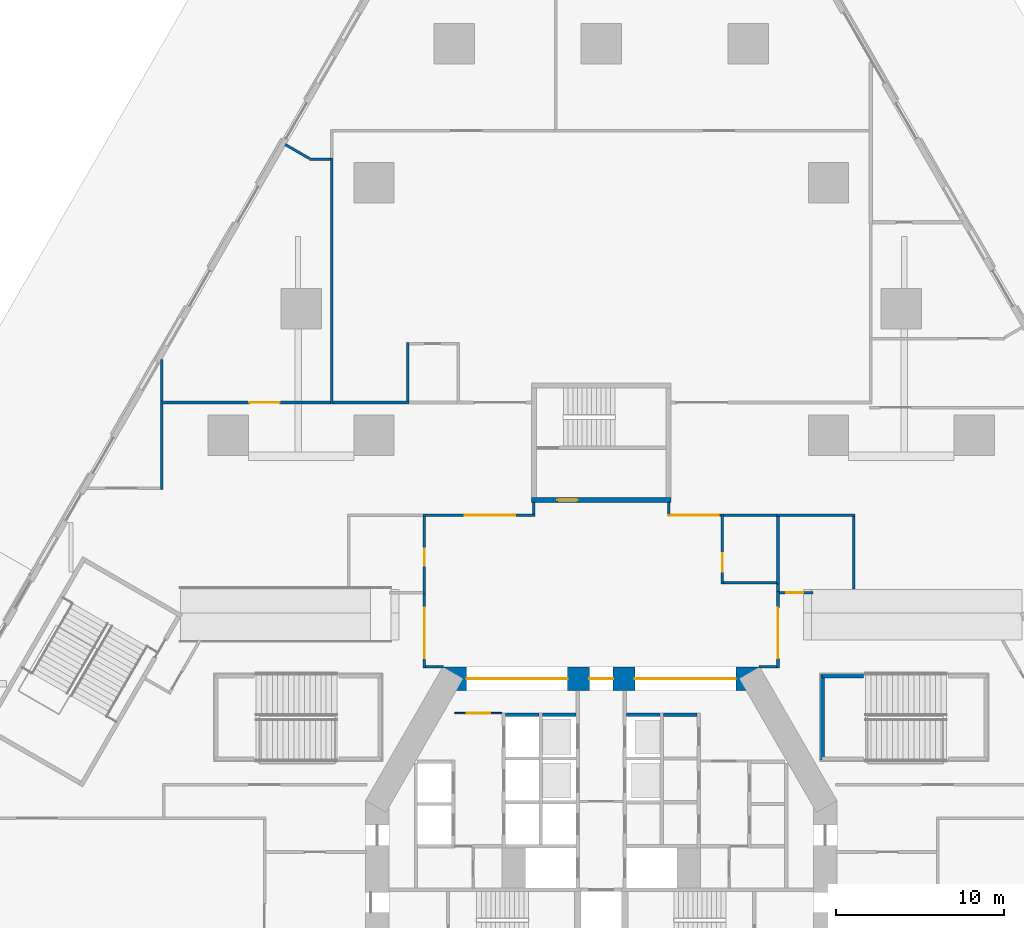
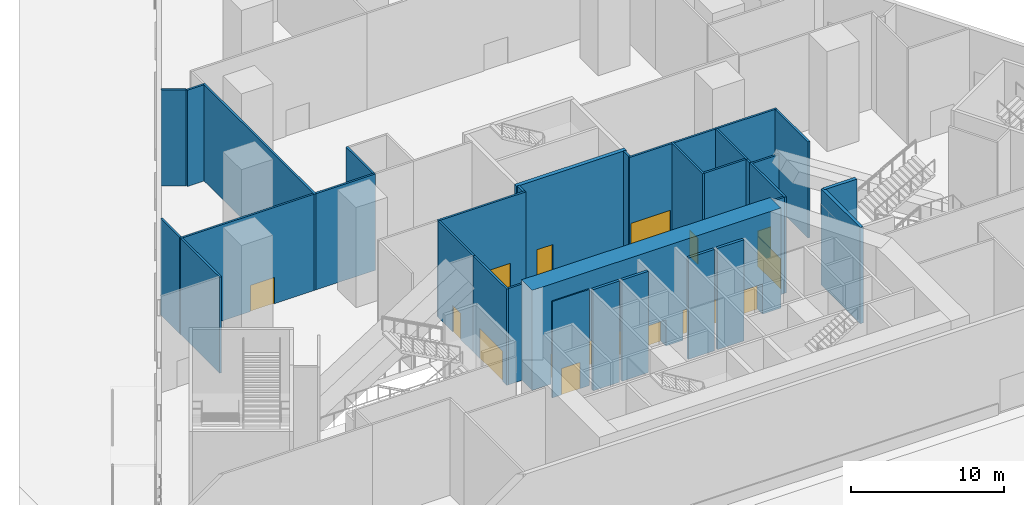
# One storey, part 15 of 24: 34 walls, 13 doors, 13 openings.
"""IFC4 building model written with IfcOpenShell, lengths in metres."""

from ifc_helpers import new_model, si_unit, direction, frame, frame_2d, origin, place, context, subcontext, project, spatial, rectangle, extrude, material, layer, layer_set, type_object, element, fill, save


model = new_model("IFC4")

# Units and contexts
model_context = context("Model", 3, precision=1e-05, world=origin(), true_north=direction((0.0, 1.0)))
body_context = subcontext(model_context, "Body", "Model", "MODEL_VIEW")
ifc_project = project(units=[si_unit("LENGTHUNIT", "METRE"), si_unit("AREAUNIT", "SQUARE_METRE"), si_unit("VOLUMEUNIT", "CUBIC_METRE"), si_unit("PLANEANGLEUNIT", "RADIAN"), si_unit("MASSUNIT", "GRAM", prefix="KILO")], contexts=[model_context])

# Site, building, storey
site_placement = place(None, origin())
site = spatial("IfcSite", under=ifc_project, at=site_placement, CompositionType="ELEMENT")
building_placement = place(site_placement, origin())
building = spatial("IfcBuilding", under=site, at=building_placement, Name="Fogline Exchange Tower", CompositionType="ELEMENT")
storey_placement = place(building_placement, origin())
storey = spatial("IfcBuildingStorey", under=building, at=storey_placement, Name="L00", CompositionType="ELEMENT", Elevation=0.0)

# Wall, opening, door
ifc_material_1 = material(Name="Blockwork partition", Category="masonry")
ifc_layer_1 = layer(ifc_material_1, 0.10009765625)
ifc_layer_set_1 = layer_set([ifc_layer_1], Name="CW10")
wall_type_1 = type_object("IfcWallType", Name="CW10", PredefinedType="PARTITIONING", material=ifc_layer_set_1)
wall_1_placement = place(storey_placement, frame((-8.699951171875, 16.25, 0.0), z_axis=(0.0, 0.0, 1.0), x_axis=(1.0, 0.0, 0.0)))
wall_1 = element("IfcWall", 1, at=wall_1_placement, inside=storey, type_object=wall_type_1, Name="Lift lobby partition", PredefinedType="PARTITIONING", context=body_context, shape_type="SweptSolid", body=[
    extrude(rectangle(XDim=2.800048828125, YDim=0.10009765625, at=frame_2d((1.39990234375, 0.0))), origin(), (0.0, 0.0, 1.0), 7.699951171875),
])
opening_1_placement = place(wall_1_placement, frame((0.699951171875, 0.0, 0.0)))
opening_1 = element("IfcOpeningElement", 2, at=opening_1_placement, cuts=wall_1, Name="Opening P00-C007", PredefinedType="OPENING", context=body_context, shape_type="SweptSolid", body=[
    extrude(rectangle(XDim=1.39990234375, YDim=2.10009765625, at=frame_2d((0.699951171875, 1.050048828125))), frame((0.0, 0.06005859375, 0.0), z_axis=(0.0, -1.0, 0.0), x_axis=(1.0, 0.0, 0.0)), (0.0, 0.0, 1.0), 0.1201171875),
])
ifc_material_2 = material(Name="Steel and timber fire door", Category="steel")
door_type_1 = type_object("IfcDoorType", Name="D-LB1", OperationType="DOUBLE_DOOR_SINGLE_SWING", PredefinedType="DOOR", material=ifc_material_2)
door_1_placement = place(opening_1_placement, origin())
door_1 = element("IfcDoor", 3, at=door_1_placement, inside=storey, type_object=door_type_1, Name="Door to lift lobby", OperationType="DOUBLE_DOOR_SINGLE_SWING", OverallHeight=2.10009765625, OverallWidth=1.39990234375, PredefinedType="DOOR", context=body_context, shape_type="SweptSolid", body=[
    extrude(rectangle(XDim=1.39990234375, YDim=2.10009765625, at=frame_2d((0.699951171875, 1.050048828125))), frame((0.0, 0.02490234375, 0.0), z_axis=(0.0, -1.0, 0.0), x_axis=(1.0, 0.0, 0.0)), (0.0, 0.0, 1.0), 0.050048828125),
])
fill(opening_1, door_1)

# Walls
ifc_material_3 = material(Name="Concrete C40", Category="concrete")
ifc_layer_2 = layer(ifc_material_3, 0.199951171875)
ifc_layer_set_2 = layer_set([ifc_layer_2], Name="CW20S")
wall_type_2 = type_object("IfcWallType", Name="CW20S", PredefinedType="SOLIDWALL", material=ifc_layer_set_2)
for number, where, z_axis, x_axis, name in (
    (4, (-5.699951171875, 16.14990234375, -0.39990234375), (0.0, 0.0, 1.0), (1.0, 0.0, 0.0), "Lift shaft wall"),
    (5, (-3.5, 16.14990234375, -0.39990234375), (0.0, 0.0, 1.0), (1.0, 0.0, 0.0), "Lift shaft wall"),
    (6, (3.699951171875, 16.14990234375, -0.39990234375), (0.0, 0.0, 1.0), (1.0, 0.0, 0.0), "Lift shaft wall"),
    (7, (1.5, 16.14990234375, -0.39990234375), (0.0, 0.0, 1.0), (1.0, 0.0, 0.0), "Lift shaft wall"),
):
    element("IfcWall", number, at=place(storey_placement, frame(where, z_axis=z_axis, x_axis=x_axis)), inside=storey, type_object=wall_type_2, Name=name, PredefinedType="SOLIDWALL", context=body_context, shape_type="SweptSolid", body=[
        extrude(rectangle(XDim=2.0, YDim=0.199951171875, at=frame_2d((1.0, 0.0))), origin(), (0.0, 0.0, 1.0), 8.099853515625),
    ])

# Wall, opening, door
ifc_layer_3 = layer(ifc_material_3, 0.300048828125)
ifc_layer_set_3 = layer_set([ifc_layer_3], Name="CW30")
wall_type_3 = type_object("IfcWallType", Name="CW30", PredefinedType="SOLIDWALL", material=ifc_layer_set_3)
wall_2_placement = place(storey_placement, frame((-4.14990234375, 28.906982421875, -0.39990234375), z_axis=(0.0, 0.0, 1.0), x_axis=(1.0, 0.0, 0.0)))
wall_2 = element("IfcWall", 8, at=wall_2_placement, inside=storey, type_object=wall_type_3, Name="Stair enclosure wall ST3", PredefinedType="SOLIDWALL", context=body_context, shape_type="SweptSolid", body=[
    extrude(rectangle(XDim=8.2998046875, YDim=0.300048828125, at=frame_2d((4.14990234375, 0.0))), origin(), (0.0, 0.0, 1.0), 8.099853515625),
])
opening_2_placement = place(wall_2_placement, frame((1.550048828125, 0.0, 0.39990234375)))
opening_2 = element("IfcOpeningElement", 9, at=opening_2_placement, cuts=wall_2, Name="Opening P00-C023", PredefinedType="OPENING", context=body_context, shape_type="SweptSolid", body=[
    extrude(rectangle(XDim=1.199951171875, YDim=2.10009765625, at=frame_2d((0.60009765625, 1.050048828125))), frame((0.0, 0.16015625, 0.0), z_axis=(0.0, -1.0, 0.0), x_axis=(1.0, 0.0, 0.0)), (0.0, 0.0, 1.0), 0.320068359375),
])
door_type_2 = type_object("IfcDoorType", Name="D-FR1", OperationType="SINGLE_SWING_RIGHT", PredefinedType="DOOR", material=ifc_material_2)
door_2_placement = place(opening_2_placement, origin())
door_2 = element("IfcDoor", 10, at=door_2_placement, inside=storey, type_object=door_type_2, Name="Front room door ST3", OperationType="SINGLE_SWING_LEFT", OverallHeight=2.10009765625, OverallWidth=1.199951171875, PredefinedType="DOOR", context=body_context, shape_type="SweptSolid", body=[
    extrude(rectangle(XDim=1.199951171875, YDim=2.10009765625, at=frame_2d((0.60009765625, 1.050048828125))), frame((0.0, 0.02490234375, 0.0), z_axis=(0.0, -1.0, 0.0), x_axis=(1.0, 0.0, 0.0)), (0.0, 0.0, 1.0), 0.050048828125),
])
fill(opening_2, door_2)

ifc_material_4 = material(Name="Plasterboard on steel stud", Category="steel")
ifc_layer_4 = layer(ifc_material_4, 0.14990234375)
ifc_layer_set_4 = layer_set([ifc_layer_4], Name="PP1")
wall_type_4 = type_object("IfcWallType", Name="PP1", PredefinedType="PARTITIONING", material=ifc_layer_set_4)
wall_3_placement = place(storey_placement, frame((-10.5, 18.925048828125, 0.0), z_axis=(0.0, 0.0, 1.0), x_axis=(0.0, 1.0, 0.0)))
wall_3 = element("IfcWall", 11, at=wall_3_placement, inside=storey, type_object=wall_type_4, Name="PP1 partition", PredefinedType="PARTITIONING", context=body_context, shape_type="SweptSolid", body=[
    extrude(rectangle(XDim=4.39990234375, YDim=0.14990234375, at=frame_2d((2.199951171875, 0.0))), origin(), (0.0, 0.0, 1.0), 7.699951171875),
])
opening_3_placement = place(wall_3_placement, frame((0.574951171875, 0.0, 0.0)))
opening_3 = element("IfcOpeningElement", 12, at=opening_3_placement, cuts=wall_3, Name="Opening P00-D020", PredefinedType="OPENING", context=body_context, shape_type="SweptSolid", body=[
    extrude(rectangle(XDim=3.0, YDim=2.39990234375, at=frame_2d((1.5, 1.199951171875))), frame((0.0, 0.0849609375, 0.0), z_axis=(0.0, -1.0, 0.0), x_axis=(1.0, 0.0, 0.0)), (0.0, 0.0, 1.0), 0.169921875),
])
ifc_material_5 = material(Name="Glass", Category="glass")
door_type_3 = type_object("IfcDoorType", Name="PD14", OperationType="DOUBLE_DOOR_SLIDING", PredefinedType="DOOR", material=ifc_material_5)
door_3_placement = place(opening_3_placement, origin())
door_3 = element("IfcDoor", 13, at=door_3_placement, inside=storey, type_object=door_type_3, Name="P00-D020", OperationType="DOUBLE_DOOR_SLIDING", OverallHeight=2.39990234375, OverallWidth=3.0, PredefinedType="DOOR", context=body_context, shape_type="SweptSolid", body=[
    extrude(rectangle(XDim=3.0, YDim=2.39990234375, at=frame_2d((1.5, 1.199951171875))), frame((0.0, 0.02490234375, 0.0), z_axis=(0.0, -1.0, 0.0), x_axis=(1.0, 0.0, 0.0)), (0.0, 0.0, 1.0), 0.050048828125),
])
fill(opening_3, door_3)

# Walls
for number, where, z_axis, x_axis, name in (
    (14, (-9.37109375, 19.0, 0.0), (0.0, 0.0, 1.0), (-1.0, 0.0, 0.0), "PP1 partition"),
    (15, (10.425048828125, 19.0, 0.0), (0.0, 0.0, 1.0), (-1.0, 0.0, 0.0), "PP1 partition"),
):
    element("IfcWall", number, at=place(storey_placement, frame(where, z_axis=z_axis, x_axis=x_axis)), inside=storey, type_object=wall_type_4, Name=name, PredefinedType="PARTITIONING", context=body_context, shape_type="SweptSolid", body=[
        extrude(rectangle(XDim=1.053955078125, YDim=0.14990234375, at=frame_2d((0.52685546875, 0.0))), origin(), (0.0, 0.0, 1.0), 7.699951171875),
    ])

# Wall, opening, door
wall_4_placement = place(storey_placement, frame((12.574951171875, 23.39990234375, 0.0), z_axis=(0.0, 0.0, 1.0), x_axis=(-1.0, 0.0, 0.0)))
wall_4 = element("IfcWall", 16, at=wall_4_placement, inside=storey, type_object=wall_type_4, Name="PP1 partition", PredefinedType="PARTITIONING", context=body_context, shape_type="SweptSolid", body=[
    extrude(rectangle(XDim=2.0, YDim=0.14990234375, at=frame_2d((1.0, 0.0))), origin(), (0.0, 0.0, 1.0), 7.699951171875),
])
opening_4_placement = place(wall_4_placement, frame((0.574951171875, 0.0, 0.0)))
opening_4 = element("IfcOpeningElement", 17, at=opening_4_placement, cuts=wall_4, Name="Opening P00-D025", PredefinedType="OPENING", context=body_context, shape_type="SweptSolid", body=[
    extrude(rectangle(XDim=1.0, YDim=2.10009765625, at=frame_2d((0.5, 1.050048828125))), frame((0.0, 0.0849609375, 0.0), z_axis=(0.0, -1.0, 0.0), x_axis=(1.0, 0.0, 0.0)), (0.0, 0.0, 1.0), 0.169921875),
])
ifc_material_6 = material(Name="Timber", Category="wood")
door_type_4 = type_object("IfcDoorType", Name="PD1", OperationType="SINGLE_SWING_LEFT", PredefinedType="DOOR", material=ifc_material_6)
door_4_placement = place(opening_4_placement, frame((1.0, 0.0, 0.0), z_axis=(0.0, 0.0, 1.0), x_axis=(-1.0, 0.0, 0.0)))
door_4 = element("IfcDoor", 18, at=door_4_placement, inside=storey, type_object=door_type_4, Name="P00-D025", OperationType="SINGLE_SWING_LEFT", OverallHeight=2.10009765625, OverallWidth=1.0, PredefinedType="DOOR", context=body_context, shape_type="SweptSolid", body=[
    extrude(rectangle(XDim=1.0, YDim=2.10009765625, at=frame_2d((0.5, 1.050048828125))), frame((0.0, 0.02490234375, 0.0), z_axis=(0.0, -1.0, 0.0), x_axis=(1.0, 0.0, 0.0)), (0.0, 0.0, 1.0), 0.050048828125),
])
fill(opening_4, door_4)

wall_5_placement = place(storey_placement, frame((10.5, 23.47509765625, 0.0), z_axis=(0.0, 0.0, 1.0), x_axis=(0.0, -1.0, 0.0)))
wall_5 = element("IfcWall", 19, at=wall_5_placement, inside=storey, type_object=wall_type_4, Name="PP1 partition", PredefinedType="PARTITIONING", context=body_context, shape_type="SweptSolid", body=[
    extrude(rectangle(XDim=4.550048828125, YDim=0.14990234375, at=frame_2d((2.27490234375, 0.0))), origin(), (0.0, 0.0, 1.0), 7.699951171875),
])
opening_5_placement = place(wall_5_placement, frame((0.97509765625, 0.0, 0.0)))
opening_5 = element("IfcOpeningElement", 20, at=opening_5_placement, cuts=wall_5, Name="Opening P00-D023", PredefinedType="OPENING", context=body_context, shape_type="SweptSolid", body=[
    extrude(rectangle(XDim=3.0, YDim=2.39990234375, at=frame_2d((1.5, 1.199951171875))), frame((0.0, 0.0849609375, 0.0), z_axis=(0.0, -1.0, 0.0), x_axis=(1.0, 0.0, 0.0)), (0.0, 0.0, 1.0), 0.169921875),
])
door_5_placement = place(opening_5_placement, origin())
door_5 = element("IfcDoor", 21, at=door_5_placement, inside=storey, type_object=door_type_3, Name="P00-D023", OperationType="DOUBLE_DOOR_SLIDING", OverallHeight=2.39990234375, OverallWidth=3.0, PredefinedType="DOOR", context=body_context, shape_type="SweptSolid", body=[
    extrude(rectangle(XDim=3.0, YDim=2.39990234375, at=frame_2d((1.5, 1.199951171875))), frame((0.0, 0.02490234375, 0.0), z_axis=(0.0, -1.0, 0.0), x_axis=(1.0, 0.0, 0.0)), (0.0, 0.0, 1.0), 0.050048828125),
])
fill(opening_5, door_5)

# Wall
wall_6_placement = place(storey_placement, frame((10.5, 23.47509765625, 0.0), z_axis=(0.0, 0.0, 1.0), x_axis=(0.0, 1.0, 0.0)))
element("IfcWall", 22, at=wall_6_placement, inside=storey, type_object=wall_type_4, Name="PP1 partition", PredefinedType="PARTITIONING", context=body_context, shape_type="SweptSolid", body=[
    extrude(rectangle(XDim=0.449951171875, YDim=0.14990234375, at=frame_2d((0.22509765625, 0.0))), origin(), (0.0, 0.0, 1.0), 7.699951171875),
])

# Wall, opening, door
wall_7_placement = place(storey_placement, frame((7.199951171875, 23.925048828125, 0.0), z_axis=(0.0, 0.0, 1.0), x_axis=(0.0, 1.0, 0.0)))
wall_7 = element("IfcWall", 23, at=wall_7_placement, inside=storey, type_object=wall_type_4, Name="PP1 partition", PredefinedType="PARTITIONING", context=body_context, shape_type="SweptSolid", body=[
    extrude(rectangle(XDim=4.14990234375, YDim=0.14990234375, at=frame_2d((2.074951171875, 0.0))), origin(), (0.0, 0.0, 1.0), 7.699951171875),
])
opening_6_placement = place(wall_7_placement, frame((0.72509765625, 0.0, 0.0)))
opening_6 = element("IfcOpeningElement", 24, at=opening_6_placement, cuts=wall_7, Name="Opening P00-D026", PredefinedType="OPENING", context=body_context, shape_type="SweptSolid", body=[
    extrude(rectangle(XDim=1.10009765625, YDim=2.10009765625, at=frame_2d((0.550048828125, 1.050048828125))), frame((0.0, 0.0849609375, 0.0), z_axis=(0.0, -1.0, 0.0), x_axis=(1.0, 0.0, 0.0)), (0.0, 0.0, 1.0), 0.169921875),
])
ifc_material_7 = material(Name="Steel Q235B", Category="steel")
door_type_5 = type_object("IfcDoorType", Name="PD5", OperationType="SINGLE_SWING_LEFT", PredefinedType="DOOR", material=ifc_material_7)
door_6_placement = place(opening_6_placement, frame((1.10009765625, 0.0, 0.0), z_axis=(0.0, 0.0, 1.0), x_axis=(-1.0, 0.0, 0.0)))
door_6 = element("IfcDoor", 25, at=door_6_placement, inside=storey, type_object=door_type_5, Name="P00-D026", OperationType="SINGLE_SWING_RIGHT", OverallHeight=2.10009765625, OverallWidth=1.10009765625, PredefinedType="DOOR", context=body_context, shape_type="SweptSolid", body=[
    extrude(rectangle(XDim=1.10009765625, YDim=2.10009765625, at=frame_2d((0.550048828125, 1.050048828125))), frame((0.0, 0.02490234375, 0.0), z_axis=(0.0, -1.0, 0.0), x_axis=(1.0, 0.0, 0.0)), (0.0, 0.0, 1.0), 0.050048828125),
])
fill(opening_6, door_6)

# Walls
wall_8_placement = place(storey_placement, frame((10.5, 23.925048828125, 0.0), z_axis=(0.0, 0.0, 1.0), x_axis=(0.0, 1.0, 0.0)))
element("IfcWall", 26, at=wall_8_placement, inside=storey, type_object=wall_type_4, Name="PP1 partition", PredefinedType="PARTITIONING", context=body_context, shape_type="SweptSolid", body=[
    extrude(rectangle(XDim=4.0, YDim=0.14990234375, at=frame_2d((2.0, 0.0))), origin(), (0.0, 0.0, 1.0), 7.699951171875),
])
wall_9_placement = place(storey_placement, frame((10.425048828125, 24.0, 0.0), z_axis=(0.0, 0.0, 1.0), x_axis=(-1.0, 0.0, 0.0)))
element("IfcWall", 27, at=wall_9_placement, inside=storey, type_object=wall_type_4, Name="PP1 partition", PredefinedType="PARTITIONING", context=body_context, shape_type="SweptSolid", body=[
    extrude(rectangle(XDim=3.150146484375, YDim=0.14990234375, at=frame_2d((1.5751953125, 0.0))), origin(), (0.0, 0.0, 1.0), 7.699951171875),
])

# Wall, opening, door
wall_10_placement = place(storey_placement, frame((-10.5, 27.925048828125, 0.0), z_axis=(0.0, 0.0, 1.0), x_axis=(0.0, -1.0, 0.0)))
wall_10 = element("IfcWall", 28, at=wall_10_placement, inside=storey, type_object=wall_type_4, Name="PP1 partition", PredefinedType="PARTITIONING", context=body_context, shape_type="SweptSolid", body=[
    extrude(rectangle(XDim=4.60009765625, YDim=0.14990234375, at=frame_2d((2.300048828125, 0.0))), origin(), (0.0, 0.0, 1.0), 7.699951171875),
])
opening_7_placement = place(wall_10_placement, frame((1.925048828125, 0.0, 0.0)))
opening_7 = element("IfcOpeningElement", 29, at=opening_7_placement, cuts=wall_10, Name="Opening P00-D024", PredefinedType="OPENING", context=body_context, shape_type="SweptSolid", body=[
    extrude(rectangle(XDim=1.0, YDim=2.10009765625, at=frame_2d((0.5, 1.050048828125))), frame((0.0, 0.0849609375, 0.0), z_axis=(0.0, -1.0, 0.0), x_axis=(1.0, 0.0, 0.0)), (0.0, 0.0, 1.0), 0.169921875),
])
door_7_placement = place(opening_7_placement, frame((1.0, 0.0, 0.0), z_axis=(0.0, 0.0, 1.0), x_axis=(-1.0, 0.0, 0.0)))
door_7 = element("IfcDoor", 30, at=door_7_placement, inside=storey, type_object=door_type_4, Name="P00-D024", OperationType="SINGLE_SWING_LEFT", OverallHeight=2.10009765625, OverallWidth=1.0, PredefinedType="DOOR", context=body_context, shape_type="SweptSolid", body=[
    extrude(rectangle(XDim=1.0, YDim=2.10009765625, at=frame_2d((0.5, 1.050048828125))), frame((0.0, 0.02490234375, 0.0), z_axis=(0.0, -1.0, 0.0), x_axis=(1.0, 0.0, 0.0)), (0.0, 0.0, 1.0), 0.050048828125),
])
fill(opening_7, door_7)

# Wall
wall_11_placement = place(storey_placement, frame((15.0, 27.925048828125, 0.0), z_axis=(0.0, 0.0, 1.0), x_axis=(0.0, -1.0, 0.0)))
element("IfcWall", 31, at=wall_11_placement, inside=storey, type_object=wall_type_4, Name="PP1 partition", PredefinedType="PARTITIONING", context=body_context, shape_type="SweptSolid", body=[
    extrude(rectangle(XDim=4.300048828125, YDim=0.14990234375, at=frame_2d((2.14990234375, 0.0))), origin(), (0.0, 0.0, 1.0), 7.699951171875),
])

# Wall, opening, door
wall_12_placement = place(storey_placement, frame((-10.574951171875, 28.0, 0.0), z_axis=(0.0, 0.0, 1.0), x_axis=(1.0, 0.0, 0.0)))
wall_12 = element("IfcWall", 32, at=wall_12_placement, inside=storey, type_object=wall_type_4, Name="PP1 partition", PredefinedType="PARTITIONING", context=body_context, shape_type="SweptSolid", body=[
    extrude(rectangle(XDim=6.64990234375, YDim=0.14990234375, at=frame_2d((3.324951171875, 0.0))), origin(), (0.0, 0.0, 1.0), 7.699951171875),
])
opening_8_placement = place(wall_12_placement, frame((2.47509765625, 0.0, 0.0)))
opening_8 = element("IfcOpeningElement", 33, at=opening_8_placement, cuts=wall_12, Name="Opening P00-D021", PredefinedType="OPENING", context=body_context, shape_type="SweptSolid", body=[
    extrude(rectangle(XDim=3.0, YDim=2.39990234375, at=frame_2d((1.5, 1.199951171875))), frame((0.0, 0.0849609375, 0.0), z_axis=(0.0, -1.0, 0.0), x_axis=(1.0, 0.0, 0.0)), (0.0, 0.0, 1.0), 0.169921875),
])
door_8_placement = place(opening_8_placement, origin())
door_8 = element("IfcDoor", 34, at=door_8_placement, inside=storey, type_object=door_type_3, Name="P00-D021", OperationType="DOUBLE_DOOR_SLIDING", OverallHeight=2.39990234375, OverallWidth=3.0, PredefinedType="DOOR", context=body_context, shape_type="SweptSolid", body=[
    extrude(rectangle(XDim=3.0, YDim=2.39990234375, at=frame_2d((1.5, 1.199951171875))), frame((0.0, 0.02490234375, 0.0), z_axis=(0.0, -1.0, 0.0), x_axis=(1.0, 0.0, 0.0)), (0.0, 0.0, 1.0), 0.050048828125),
])
fill(opening_8, door_8)

wall_13_placement = place(storey_placement, frame((3.925048828125, 28.0, 0.0), z_axis=(0.0, 0.0, 1.0), x_axis=(1.0, 0.0, 0.0)))
wall_13 = element("IfcWall", 35, at=wall_13_placement, inside=storey, type_object=wall_type_4, Name="PP1 partition", PredefinedType="PARTITIONING", context=body_context, shape_type="SweptSolid", body=[
    extrude(rectangle(XDim=3.199951171875, YDim=0.14990234375, at=frame_2d((1.60009765625, 0.0))), origin(), (0.0, 0.0, 1.0), 7.699951171875),
])
opening_9_placement = place(wall_13_placement, frame((0.080078125, 0.0, 0.0)))
opening_9 = element("IfcOpeningElement", 36, at=opening_9_placement, cuts=wall_13, Name="Opening P00-D022", PredefinedType="OPENING", context=body_context, shape_type="SweptSolid", body=[
    extrude(rectangle(XDim=3.0, YDim=2.39990234375, at=frame_2d((1.5, 1.199951171875))), frame((0.0, 0.0849609375, 0.0), z_axis=(0.0, -1.0, 0.0), x_axis=(1.0, 0.0, 0.0)), (0.0, 0.0, 1.0), 0.169921875),
])
door_9_placement = place(opening_9_placement, origin())
door_9 = element("IfcDoor", 37, at=door_9_placement, inside=storey, type_object=door_type_3, Name="P00-D022", OperationType="DOUBLE_DOOR_SLIDING", OverallHeight=2.39990234375, OverallWidth=3.0, PredefinedType="DOOR", context=body_context, shape_type="SweptSolid", body=[
    extrude(rectangle(XDim=3.0, YDim=2.39990234375, at=frame_2d((1.5, 1.199951171875))), frame((0.0, 0.02490234375, 0.0), z_axis=(0.0, -1.0, 0.0), x_axis=(1.0, 0.0, 0.0)), (0.0, 0.0, 1.0), 0.050048828125),
])
fill(opening_9, door_9)

# Walls
wall_14_placement = place(storey_placement, frame((7.27490234375, 28.0, 0.0), z_axis=(0.0, 0.0, 1.0), x_axis=(1.0, 0.0, 0.0)))
element("IfcWall", 38, at=wall_14_placement, inside=storey, type_object=wall_type_4, Name="PP1 partition", PredefinedType="PARTITIONING", context=body_context, shape_type="SweptSolid", body=[
    extrude(rectangle(XDim=3.150146484375, YDim=0.14990234375, at=frame_2d((1.5751953125, 0.0))), origin(), (0.0, 0.0, 1.0), 7.699951171875),
])
wall_15_placement = place(storey_placement, frame((10.425048828125, 28.0, 0.0), z_axis=(0.0, 0.0, 1.0), x_axis=(1.0, 0.0, 0.0)))
element("IfcWall", 39, at=wall_15_placement, inside=storey, type_object=wall_type_4, Name="PP1 partition", PredefinedType="PARTITIONING", context=body_context, shape_type="SweptSolid", body=[
    extrude(rectangle(XDim=4.64990234375, YDim=0.14990234375, at=frame_2d((2.324951171875, 0.0))), origin(), (0.0, 0.0, 1.0), 7.699951171875),
])
for number, where, z_axis, x_axis, name in (
    (40, (-4.0, 28.074951171875, 0.0), (0.0, 0.0, 1.0), (0.0, 1.0, 0.0), "PP1 partition"),
    (41, (4.0, 28.802001953125, 0.0), (0.0, 0.0, 1.0), (0.0, -1.0, 0.0), "PP1 partition"),
):
    element("IfcWall", number, at=place(storey_placement, frame(where, z_axis=z_axis, x_axis=x_axis)), inside=storey, type_object=wall_type_4, Name=name, PredefinedType="PARTITIONING", context=body_context, shape_type="SweptSolid", body=[
        extrude(rectangle(XDim=0.72705078125, YDim=0.14990234375, at=frame_2d((0.363525390625, 0.0))), origin(), (0.0, 0.0, 1.0), 7.699951171875),
    ])
wall_16_placement = place(storey_placement, frame((-26.10009765625, 34.625, 0.0), z_axis=(0.0, 0.0, 1.0), x_axis=(0.0, -1.0, 0.0)))
element("IfcWall", 42, at=wall_16_placement, inside=storey, type_object=wall_type_4, Name="PP1 partition", PredefinedType="PARTITIONING", context=body_context, shape_type="SweptSolid", body=[
    extrude(rectangle(XDim=5.10009765625, YDim=0.14990234375, at=frame_2d((2.550048828125, 0.0))), origin(), (0.0, 0.0, 1.0), 7.699951171875),
])
wall_17_placement = place(storey_placement, frame((-16.0, 34.625, 0.0), z_axis=(0.0, 0.0, 1.0), x_axis=(0.0, 1.0, 0.0)))
element("IfcWall", 43, at=wall_17_placement, inside=storey, type_object=wall_type_4, Name="PP1 partition", PredefinedType="PARTITIONING", context=body_context, shape_type="SweptSolid", body=[
    extrude(rectangle(XDim=14.590087890625, YDim=0.14990234375, at=frame_2d((7.294921875, 0.0))), origin(), (0.0, 0.0, 1.0), 7.699951171875),
])

# Wall, opening, door
wall_18_placement = place(storey_placement, frame((-16.074951171875, 34.699951171875, 0.0), z_axis=(0.0, 0.0, 1.0), x_axis=(-1.0, 0.0, 0.0)))
wall_18 = element("IfcWall", 44, at=wall_18_placement, inside=storey, type_object=wall_type_4, Name="PP1 partition", PredefinedType="PARTITIONING", context=body_context, shape_type="SweptSolid", body=[
    extrude(rectangle(XDim=10.10009765625, YDim=0.14990234375, at=frame_2d((5.050048828125, 0.0))), origin(), (0.0, 0.0, 1.0), 7.699951171875),
])
opening_10_placement = place(wall_18_placement, frame((3.02490234375, 0.0, 0.0)))
opening_10 = element("IfcOpeningElement", 45, at=opening_10_placement, cuts=wall_18, Name="Opening P00-D036", PredefinedType="OPENING", context=body_context, shape_type="SweptSolid", body=[
    extrude(rectangle(XDim=1.800048828125, YDim=2.10009765625, at=frame_2d((0.89990234375, 1.050048828125))), frame((0.0, 0.0849609375, 0.0), z_axis=(0.0, -1.0, 0.0), x_axis=(1.0, 0.0, 0.0)), (0.0, 0.0, 1.0), 0.169921875),
])
door_type_6 = type_object("IfcDoorType", Name="PD3", OperationType="DOUBLE_DOOR_SINGLE_SWING", PredefinedType="DOOR", material=ifc_material_6)
door_10_placement = place(opening_10_placement, frame((1.800048828125, 0.0, 0.0), z_axis=(0.0, 0.0, 1.0), x_axis=(-1.0, 0.0, 0.0)))
door_10 = element("IfcDoor", 46, at=door_10_placement, inside=storey, type_object=door_type_6, Name="P00-D036", OperationType="DOUBLE_DOOR_SINGLE_SWING", OverallHeight=2.10009765625, OverallWidth=1.800048828125, PredefinedType="DOOR", context=body_context, shape_type="SweptSolid", body=[
    extrude(rectangle(XDim=1.800048828125, YDim=2.10009765625, at=frame_2d((0.89990234375, 1.050048828125))), frame((0.0, 0.02490234375, 0.0), z_axis=(0.0, -1.0, 0.0), x_axis=(1.0, 0.0, 0.0)), (0.0, 0.0, 1.0), 0.050048828125),
])
fill(opening_10, door_10)

# Walls
wall_19_placement = place(storey_placement, frame((-11.425048828125, 34.699951171875, 0.0), z_axis=(0.0, 0.0, 1.0), x_axis=(-1.0, 0.0, 0.0)))
element("IfcWall", 47, at=wall_19_placement, inside=storey, type_object=wall_type_4, Name="PP1 partition", PredefinedType="PARTITIONING", context=body_context, shape_type="SweptSolid", body=[
    extrude(rectangle(XDim=4.5, YDim=0.14990234375, at=frame_2d((2.25, 0.0))), origin(), (0.0, 0.0, 1.0), 7.699951171875),
])
wall_20_placement = place(storey_placement, frame((-11.5, 34.77490234375, 0.0), z_axis=(0.0, 0.0, 1.0), x_axis=(0.0, 1.0, 0.0)))
element("IfcWall", 48, at=wall_20_placement, inside=storey, type_object=wall_type_4, Name="PP1 partition", PredefinedType="PARTITIONING", context=body_context, shape_type="SweptSolid", body=[
    extrude(rectangle(XDim=3.5, YDim=0.14990234375, at=frame_2d((1.75, 0.0))), origin(), (0.0, 0.0, 1.0), 7.699951171875),
])
wall_21_placement = place(storey_placement, frame((-26.10009765625, 37.266845703125, 0.0), z_axis=(0.0, 0.0, 1.0), x_axis=(0.0, -1.0, 0.0)))
element("IfcWall", 49, at=wall_21_placement, inside=storey, type_object=wall_type_4, Name="PP1 partition", PredefinedType="PARTITIONING", context=body_context, shape_type="SweptSolid", body=[
    extrude(rectangle(XDim=2.491943359375, YDim=0.14990234375, at=frame_2d((1.24609375, 0.0))), origin(), (0.0, 0.0, 1.0), 7.699951171875),
])
wall_22_placement = place(storey_placement, frame((-16.074951171875, 49.139892578125, 0.0), z_axis=(0.0, 0.0, 1.0), x_axis=(-1.0, 0.0, 0.0)))
element("IfcWall", 50, at=wall_22_placement, inside=storey, type_object=wall_type_4, Name="PP1 partition", PredefinedType="PARTITIONING", context=body_context, shape_type="SweptSolid", body=[
    extrude(rectangle(XDim=1.26513671875, YDim=0.14990234375, at=frame_2d((0.632568359375, 0.0))), origin(), (0.0, 0.0, 1.0), 7.699951171875),
])
wall_23_placement = place(storey_placement, frame((-17.349609375, 49.203369140625, 0.0), z_axis=(0.0, 0.0, 1.0), x_axis=(-0.865825124288, 0.500346733926, 0.0)))
element("IfcWall", 51, at=wall_23_placement, inside=storey, type_object=wall_type_4, Name="PP1 partition", PredefinedType="PARTITIONING", context=body_context, shape_type="SweptSolid", body=[
    extrude(rectangle(XDim=1.647216796875, YDim=0.14990234375, at=frame_2d((0.82373046875, 0.0))), origin(), (0.0, 0.0, 1.0), 7.699951171875),
])
ifc_layer_5 = layer(ifc_material_3, 0.25)
ifc_layer_set_5 = layer_set([ifc_layer_5], Name="PP6")
wall_type_5 = type_object("IfcWallType", Name="PP6", PredefinedType="SOLIDWALL", material=ifc_layer_set_5)
wall_24_placement = place(storey_placement, frame((13.125, 13.449951171875, 0.0), z_axis=(0.0, 0.0, 1.0), x_axis=(0.0, 1.0, 0.0)))
element("IfcWall", 52, at=wall_24_placement, inside=storey, type_object=wall_type_5, Name="PP6 bearing wall", PredefinedType="SOLIDWALL", context=body_context, shape_type="SweptSolid", body=[
    extrude(rectangle(XDim=5.10009765625, YDim=0.25, at=frame_2d((2.550048828125, 0.0))), origin(), (0.0, 0.0, 1.0), 7.699951171875),
])
wall_25_placement = place(storey_placement, frame((13.125, 18.47509765625, 0.0), z_axis=(0.0, 0.0, 1.0), x_axis=(1.0, 0.0, 0.0)))
element("IfcWall", 53, at=wall_25_placement, inside=storey, type_object=wall_type_5, Name="PP6 bearing wall", PredefinedType="SOLIDWALL", context=body_context, shape_type="SweptSolid", body=[
    extrude(rectangle(XDim=2.449951171875, YDim=0.25, at=frame_2d((1.22509765625, 0.0))), origin(), (0.0, 0.0, 1.0), 7.699951171875),
])

# Wall, openings, doors
ifc_material_8 = material(Name="Concrete C60", Category="concrete")
ifc_layer_6 = layer(ifc_material_8, 1.39990234375)
ifc_layer_set_6 = layer_set([ifc_layer_6], Name="SW01")
wall_type_6 = type_object("IfcWallType", Name="SW01", PredefinedType="SHEAR", material=ifc_layer_set_6)
wall_26_placement = place(storey_placement, frame((9.41162109375, 18.300048828125, 0.0), z_axis=(0.0, 0.0, 1.0), x_axis=(-1.0, 0.0, 0.0)))
wall_26 = element("IfcWall", 54, at=wall_26_placement, inside=storey, type_object=wall_type_6, Name="L00-W904", PredefinedType="SHEAR", context=body_context, shape_type="SweptSolid", body=[
    extrude(rectangle(XDim=18.8232421875, YDim=1.39990234375, at=frame_2d((9.41162109375, 0.0))), origin(), (0.0, 0.0, 1.0), 8.0),
])
opening_11_placement = place(wall_26_placement, frame((8.71142578125, 0.0, 0.0)))
opening_11 = element("IfcOpeningElement", 55, at=opening_11_placement, cuts=wall_26, Name="Opening P00-C020", PredefinedType="OPENING", context=body_context, shape_type="SweptSolid", body=[
    extrude(rectangle(XDim=1.39990234375, YDim=2.10009765625, at=frame_2d((0.699951171875, 1.050048828125))), frame((0.0, 0.7099609375, 0.0), z_axis=(0.0, -1.0, 0.0), x_axis=(1.0, 0.0, 0.0)), (0.0, 0.0, 1.0), 1.419921875),
])
opening_12_placement = place(wall_26_placement, frame((11.41162109375, 0.0, 0.0)))
opening_12 = element("IfcOpeningElement", 56, at=opening_12_placement, cuts=wall_26, Name="Opening P00-C021", PredefinedType="OPENING", context=body_context, shape_type="SweptSolid", body=[
    extrude(rectangle(XDim=6.0, YDim=2.39990234375, at=frame_2d((3.0, 1.199951171875))), frame((0.0, 0.7099609375, 0.0), z_axis=(0.0, -1.0, 0.0), x_axis=(1.0, 0.0, 0.0)), (0.0, 0.0, 1.0), 1.419921875),
])
opening_13_placement = place(wall_26_placement, frame((1.41162109375, 0.0, 0.0)))
opening_13 = element("IfcOpeningElement", 57, at=opening_13_placement, cuts=wall_26, Name="Opening P00-C022", PredefinedType="OPENING", context=body_context, shape_type="SweptSolid", body=[
    extrude(rectangle(XDim=6.0, YDim=2.39990234375, at=frame_2d((3.0, 1.199951171875))), frame((0.0, 0.7099609375, 0.0), z_axis=(0.0, -1.0, 0.0), x_axis=(1.0, 0.0, 0.0)), (0.0, 0.0, 1.0), 1.419921875),
])
door_11_placement = place(opening_11_placement, origin())
door_11 = element("IfcDoor", 58, at=door_11_placement, inside=storey, type_object=door_type_1, Name="Protected lobby door", OperationType="DOUBLE_DOOR_SINGLE_SWING", OverallHeight=2.10009765625, OverallWidth=1.39990234375, PredefinedType="DOOR", context=body_context, shape_type="SweptSolid", body=[
    extrude(rectangle(XDim=1.39990234375, YDim=2.10009765625, at=frame_2d((0.699951171875, 1.050048828125))), frame((0.0, 0.02490234375, 0.0), z_axis=(0.0, -1.0, 0.0), x_axis=(1.0, 0.0, 0.0)), (0.0, 0.0, 1.0), 0.050048828125),
])
fill(opening_11, door_11)
door_type_7 = type_object("IfcDoorType", Name="D-LE1", OperationType="DOUBLE_DOOR_SLIDING", PredefinedType="DOOR", material=ifc_material_2)
door_12_placement = place(opening_12_placement, origin())
door_12 = element("IfcDoor", 59, at=door_12_placement, inside=storey, type_object=door_type_7, Name="Lift lobby entrance west", OperationType="DOUBLE_DOOR_SLIDING", OverallHeight=2.39990234375, OverallWidth=6.0, PredefinedType="DOOR", context=body_context, shape_type="SweptSolid", body=[
    extrude(rectangle(XDim=6.0, YDim=2.39990234375, at=frame_2d((3.0, 1.199951171875))), frame((0.0, 0.02490234375, 0.0), z_axis=(0.0, -1.0, 0.0), x_axis=(1.0, 0.0, 0.0)), (0.0, 0.0, 1.0), 0.050048828125),
])
fill(opening_12, door_12)
door_13_placement = place(opening_13_placement, origin())
door_13 = element("IfcDoor", 60, at=door_13_placement, inside=storey, type_object=door_type_7, Name="Lift lobby entrance east", OperationType="DOUBLE_DOOR_SLIDING", OverallHeight=2.39990234375, OverallWidth=6.0, PredefinedType="DOOR", context=body_context, shape_type="SweptSolid", body=[
    extrude(rectangle(XDim=6.0, YDim=2.39990234375, at=frame_2d((3.0, 1.199951171875))), frame((0.0, 0.02490234375, 0.0), z_axis=(0.0, -1.0, 0.0), x_axis=(1.0, 0.0, 0.0)), (0.0, 0.0, 1.0), 0.050048828125),
])
fill(opening_13, door_13)

save(model, "model.ifc")
